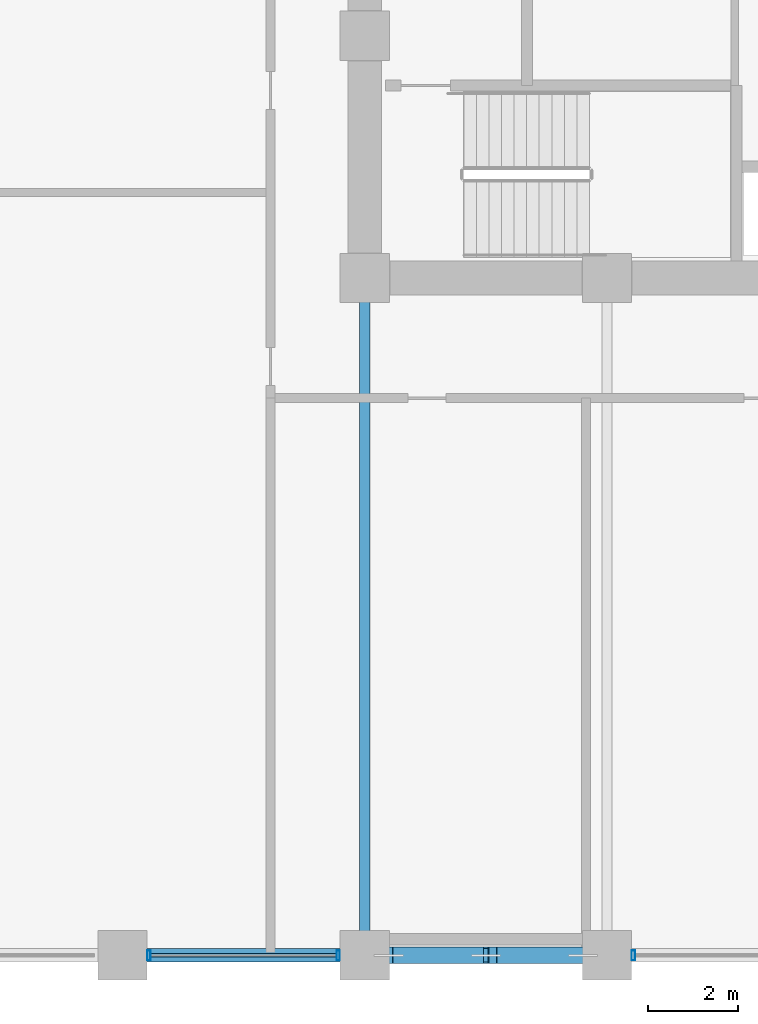
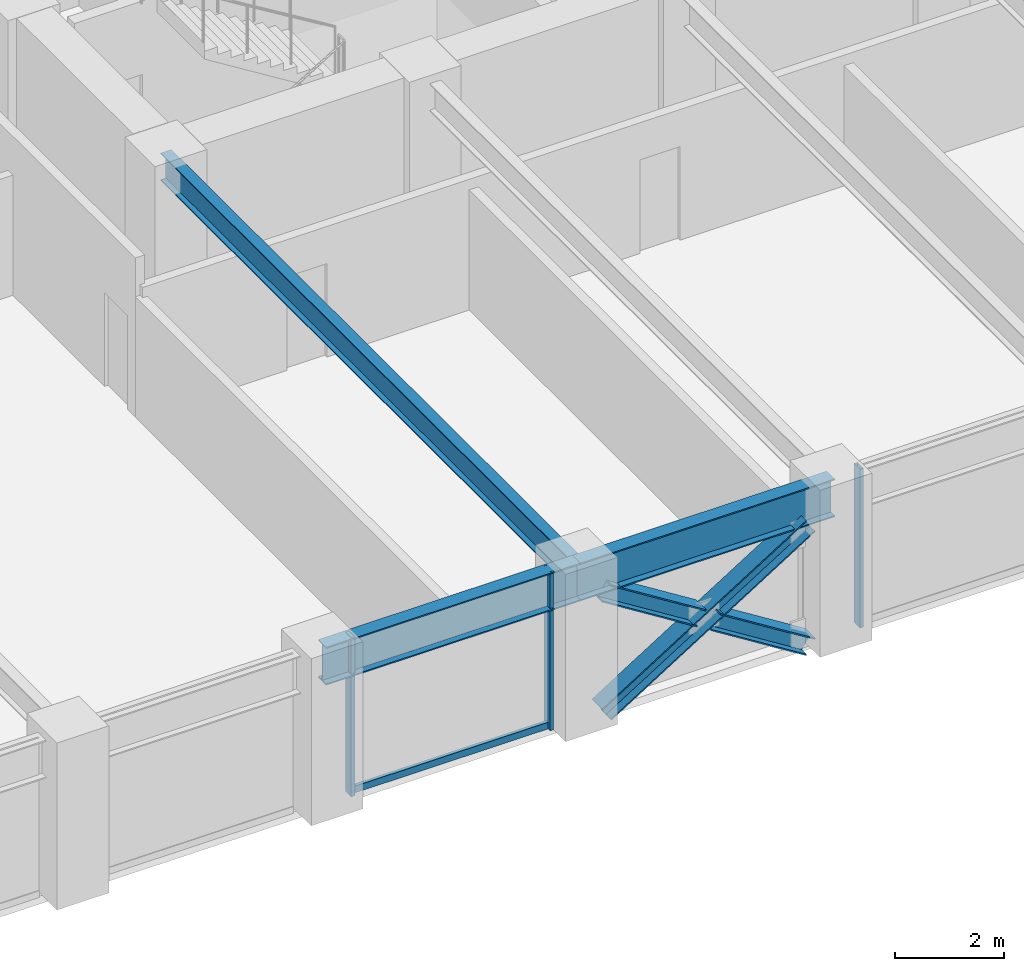
# One storey, part 4 of 25: 7 members, 3 beams, 2 elements without a shape of their own.
"""IFC4 building model written with IfcOpenShell, lengths in metres."""

from ifc_helpers import new_model, si_unit, direction, frame, origin, origin_2d, place, context, subcontext, project, spatial, hollow_rectangle, i_section, extrude, material, layer, layer_set, material_profile, profile_set, type_object, element, aggregate, save


model = new_model("IFC4")

# Units and contexts
model_context = context("Model", 3, precision=1e-05, world=origin(), true_north=direction((0.0, 1.0)))
body_context = subcontext(model_context, "Body", "Model", "MODEL_VIEW")
ifc_project = project(units=[si_unit("LENGTHUNIT", "METRE"), si_unit("AREAUNIT", "SQUARE_METRE"), si_unit("VOLUMEUNIT", "CUBIC_METRE"), si_unit("PLANEANGLEUNIT", "RADIAN"), si_unit("MASSUNIT", "GRAM", prefix="KILO")], contexts=[model_context])

# Site, building, storey
site_placement = place(None, origin())
site = spatial("IfcSite", under=ifc_project, at=site_placement, CompositionType="ELEMENT")
building_placement = place(site_placement, origin())
building = spatial("IfcBuilding", under=site, at=building_placement, Name="Surkhivell Harbour Commons", CompositionType="ELEMENT")
storey_placement = place(building_placement, frame((0.0, 0.0, 117.0)))
storey = spatial("IfcBuildingStorey", under=building, at=storey_placement, Name="L30", CompositionType="ELEMENT", Elevation=117.0)

# Beams
ifc_material_1 = material(Name="Steel S355", Category="steel")
ifc_material_profile_1 = material_profile(ifc_material_1, i_section(OverallWidth=0.22998046875, OverallDepth=0.616943359375, WebThickness=0.01318359375, FlangeThickness=0.022216796875, at=origin_2d()), Name="UB610x229x140")
ifc_profile_set_1 = profile_set([ifc_material_profile_1], Name="Steel S355")
beam_type_1 = type_object("IfcBeamType", Name="BM-GRD-610B", PredefinedType="BEAM", material=ifc_profile_set_1)
beam_1_placement = place(storey_placement, frame((-10.800048828125, -25.89990234375, 3.261474609375), z_axis=(0.0, 1.0, 0.0), x_axis=(-1.0, 0.0, 0.0)))
element("IfcBeam", 1, at=beam_1_placement, inside=storey, type_object=beam_type_1, Name="L30 Floor Girder (-10.8,-25.9)", PredefinedType="BEAM", context=body_context, shape_type="SweptSolid", body=[
    extrude(i_section(OverallWidth=0.22998046875, OverallDepth=0.616943359375, WebThickness=0.01318359375, FlangeThickness=0.022216796875, at=origin_2d()), origin(), (0.0, 0.0, 1.0), 15.099853515625),
])
ifc_material_2 = material(Name="Steel S460", Category="steel")
ifc_material_profile_2 = material_profile(ifc_material_2, i_section(OverallWidth=0.2939453125, OverallDepth=0.85107421875, WebThickness=0.01611328125, FlangeThickness=0.02685546875, at=origin_2d()), Name="UB838x292x226")
ifc_profile_set_2 = profile_set([ifc_material_profile_2], Name="Steel S460")
beam_type_2 = type_object("IfcBeamType", Name="BM-SPN-838", PredefinedType="SPANDREL", material=ifc_profile_set_2)
beam_2_placement = place(storey_placement, frame((-16.199951171875, -25.89990234375, 3.14453125), z_axis=(1.0, 0.0, 0.0), x_axis=(0.0, 1.0, 0.0)))
element("IfcBeam", 2, at=beam_2_placement, inside=storey, type_object=beam_type_2, Name="L30 Tube Spandrel (-16.2,-25.9)", PredefinedType="SPANDREL", context=body_context, shape_type="SweptSolid", body=[
    extrude(i_section(OverallWidth=0.2939453125, OverallDepth=0.85107421875, WebThickness=0.01611328125, FlangeThickness=0.02685546875, at=origin_2d()), origin(), (0.0, 0.0, 1.0), 5.39990234375),
])
beam_3_placement = place(storey_placement, frame((-10.800048828125, -25.89990234375, 3.14453125), z_axis=(1.0, 0.0, 0.0), x_axis=(0.0, 1.0, 0.0)))
element("IfcBeam", 3, at=beam_3_placement, inside=storey, type_object=beam_type_2, Name="L30 Tube Spandrel (-10.8,-25.9)", PredefinedType="SPANDREL", context=body_context, shape_type="SweptSolid", body=[
    extrude(i_section(OverallWidth=0.2939453125, OverallDepth=0.85107421875, WebThickness=0.01611328125, FlangeThickness=0.02685546875, at=origin_2d()), origin(), (0.0, 0.0, 1.0), 5.400146484375),
])

# Curtain wall, members
ifc_material_3 = material(Name="Anodised pale-metal aluminium and insulated glazing", Category="aluminium")
ifc_layer = layer(ifc_material_3, 0.205078125)
ifc_layer_set = layer_set([ifc_layer], Name="Anodised pale-metal aluminium and insulated glazing")
curtain_wall_type = type_object("IfcCurtainWallType", Name="CW-SYS-Z2", PredefinedType="NOTDEFINED", material=ifc_layer_set)
curtain_wall_1_placement = place(storey_placement, origin())
curtain_wall_1 = element("IfcCurtainWall", 4, at=curtain_wall_1_placement, inside=storey, type_object=curtain_wall_type, Name="L30 Curtain Wall CW-L30-E00S1", PredefinedType="NOTDEFINED")
ifc_material_4 = material(Name="Anodised pale-metal aluminium alloy 6063-T6", Category="aluminium")
ifc_material_profile_3 = material_profile(ifc_material_4, hollow_rectangle(XDim=0.074951171875, YDim=0.219970703125, WallThickness=0.00390625, at=origin_2d()), Name="ALU-MULL-75x220")
ifc_profile_set_3 = profile_set([ifc_material_profile_3], Name="Anodised pale-metal aluminium alloy 6063-T6")
member_type_1 = type_object("IfcMemberType", Name="CWM-220", PredefinedType="MULLION", material=ifc_profile_set_3)
member_1_placement = place(storey_placement, frame((-15.610595703125, -25.89990234375, 0.0), z_axis=(0.0, 0.0, 1.0), x_axis=(1.0, 0.0, 0.0)))
member_1 = element("IfcMember", 5, at=member_1_placement, type_object=member_type_1, Name="CW-Z2 mullion 3", PredefinedType="MULLION", context=body_context, shape_type="SweptSolid", body=[
    extrude(hollow_rectangle(XDim=0.074951171875, YDim=0.219970703125, WallThickness=0.00390625, at=origin_2d()), origin(), (0.0, 0.0, 1.0), 3.570068359375),
])
member_2_placement = place(storey_placement, frame((-11.389404296875, -25.89990234375, 0.0), z_axis=(0.0, 0.0, 1.0), x_axis=(1.0, 0.0, 0.0)))
member_2 = element("IfcMember", 6, at=member_2_placement, type_object=member_type_1, Name="CW-Z2 mullion 4", PredefinedType="MULLION", context=body_context, shape_type="SweptSolid", body=[
    extrude(hollow_rectangle(XDim=0.074951171875, YDim=0.219970703125, WallThickness=0.00390625, at=origin_2d()), origin(), (0.0, 0.0, 1.0), 3.570068359375),
])

# Curtain wall, member
curtain_wall_2_placement = place(storey_placement, origin())
curtain_wall_2 = element("IfcCurtainWall", 7, at=curtain_wall_2_placement, inside=storey, type_object=curtain_wall_type, Name="L30 Curtain Wall CW-L30-E00S2", PredefinedType="NOTDEFINED")
member_3_placement = place(storey_placement, frame((-4.810546875, -25.89990234375, 0.0), z_axis=(0.0, 0.0, 1.0), x_axis=(1.0, 0.0, 0.0)))
member_3 = element("IfcMember", 8, at=member_3_placement, type_object=member_type_1, Name="CW-Z2 mullion 1", PredefinedType="MULLION", context=body_context, shape_type="SweptSolid", body=[
    extrude(hollow_rectangle(XDim=0.074951171875, YDim=0.219970703125, WallThickness=0.00390625, at=origin_2d()), origin(), (0.0, 0.0, 1.0), 3.570068359375),
])
aggregate(curtain_wall_2, [member_3])

# Member
ifc_material_profile_4 = material_profile(ifc_material_4, hollow_rectangle(XDim=0.074951171875, YDim=0.14990234375, WallThickness=0.00341796875, at=origin_2d()), Name="ALU-TRAN-75x150")
ifc_profile_set_4 = profile_set([ifc_material_profile_4], Name="Anodised pale-metal aluminium alloy 6063-T6")
member_type_2 = type_object("IfcMemberType", Name="CWT-150", PredefinedType="USERDEFINED", material=ifc_profile_set_4)
member_4_placement = place(storey_placement, frame((-15.572998046875, -25.89990234375, 0.074951171875), z_axis=(1.0, 0.0, 0.0), x_axis=(0.0, 1.0, 0.0)))
member_4 = element("IfcMember", 9, at=member_4_placement, type_object=member_type_2, Name="CW-Z2 transom 3.1", ObjectType="TRANSOM", PredefinedType="USERDEFINED", context=body_context, shape_type="SweptSolid", body=[
    extrude(hollow_rectangle(XDim=0.074951171875, YDim=0.14990234375, WallThickness=0.00341796875, at=origin_2d()), origin(), (0.0, 0.0, 1.0), 4.14599609375),
])

aggregate(curtain_wall_1, [member_1, member_2, member_4])

# Members
ifc_material_profile_5 = material_profile(ifc_material_2, i_section(OverallWidth=0.375, OverallDepth=0.375, WebThickness=0.0166015625, FlangeThickness=0.027099609375, at=origin_2d()), Name="UC356x368x202")
ifc_profile_set_5 = profile_set([ifc_material_profile_5], Name="Steel S460")
member_type_3 = type_object("IfcMemberType", Name="MEM-BRC-UC356", PredefinedType="BRACE", material=ifc_profile_set_5)
member_5_placement = place(storey_placement, frame((-10.264892578125, -25.89990234375, 0.008056640625), z_axis=(0.847232535652, 0.0, 0.53122220448), x_axis=(0.0, 1.0, 0.0)))
element("IfcMember", 10, at=member_5_placement, inside=storey, type_object=member_type_3, Name="L30 Perimeter Mega-Brace MB- 07", PredefinedType="BRACE", context=body_context, shape_type="SweptSolid", body=[
    extrude(i_section(OverallWidth=0.375, OverallDepth=0.375, WebThickness=0.0166015625, FlangeThickness=0.027099609375, at=origin_2d()), origin(), (0.0, 0.0, 1.0), 5.110595703125),
])
member_6_placement = place(storey_placement, frame((-5.93505859375, -25.89990234375, 0.008056640625), z_axis=(-0.847206308526, 0.0, 0.53126403115), x_axis=(0.0, -1.0, 0.0)))
element("IfcMember", 11, at=member_6_placement, inside=storey, type_object=member_type_3, Name="L30 Perimeter Mega-Brace MB- 08", PredefinedType="BRACE", context=body_context, shape_type="SweptSolid", body=[
    extrude(i_section(OverallWidth=0.375, OverallDepth=0.375, WebThickness=0.0166015625, FlangeThickness=0.027099609375, at=origin_2d()), origin(), (0.0, 0.0, 1.0), 2.37548828125),
])
member_7_placement = place(storey_placement, frame((-8.25244140625, -25.89990234375, 1.461181640625), z_axis=(-0.84725256761, 0.0, 0.53119025469), x_axis=(0.0, -1.0, 0.0)))
element("IfcMember", 12, at=member_7_placement, inside=storey, type_object=member_type_3, Name="L30 Perimeter Mega-Brace MB- 09", PredefinedType="BRACE", context=body_context, shape_type="SweptSolid", body=[
    extrude(i_section(OverallWidth=0.375, OverallDepth=0.375, WebThickness=0.0166015625, FlangeThickness=0.027099609375, at=origin_2d()), origin(), (0.0, 0.0, 1.0), 2.375244140625),
])

save(model, "model.ifc")
